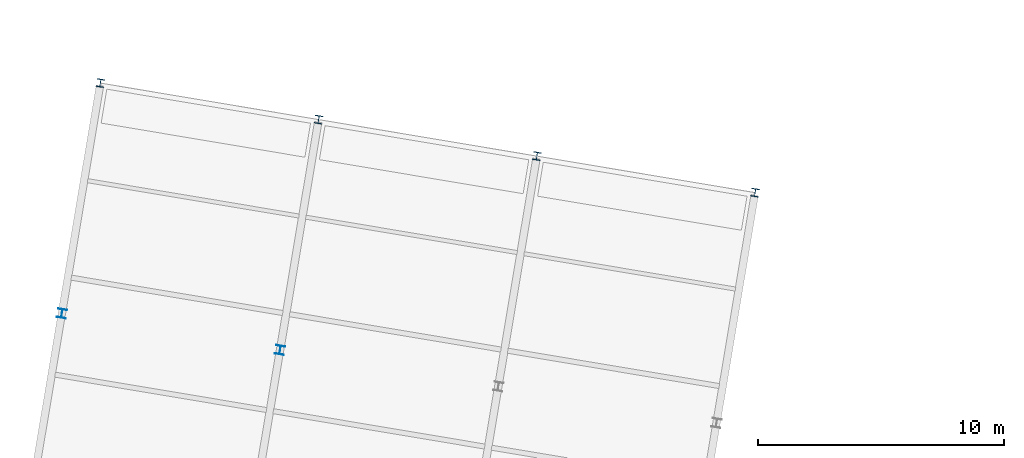
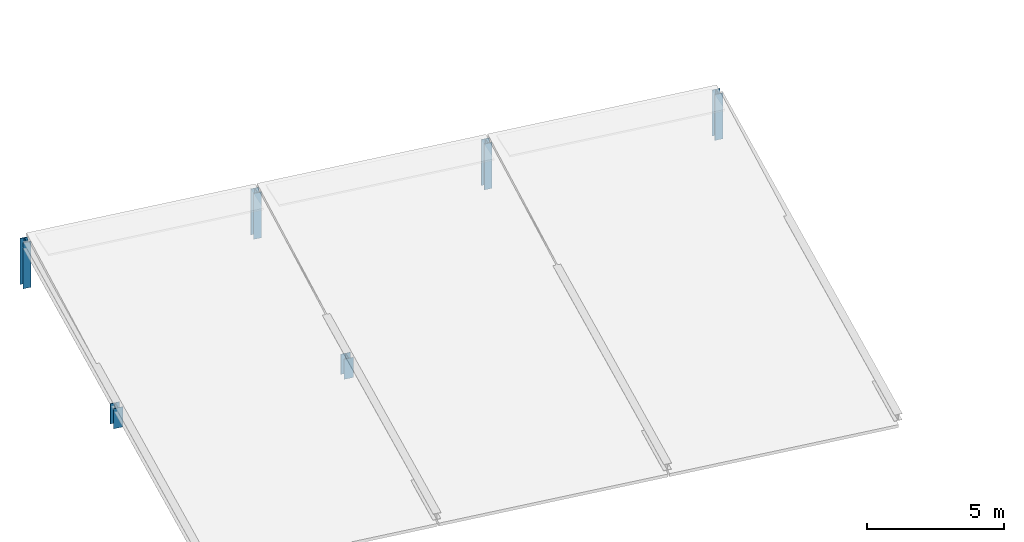
# One storey, part 7 of 27: 6 columns.
"""IFC4 building model written with IfcOpenShell, lengths in metres."""

from ifc_helpers import new_model, si_unit, direction, frame, origin, origin_2d, place, context, subcontext, project, spatial, i_section, extrude, material, material_profile, profile_set, type_object, element, save


model = new_model("IFC4")

# Units and contexts
model_context = context("Model", 3, precision=1e-05, world=origin(), true_north=direction((0.0, 1.0)))
body_context = subcontext(model_context, "Body", "Model", "MODEL_VIEW")
ifc_project = project(units=[si_unit("LENGTHUNIT", "METRE"), si_unit("AREAUNIT", "SQUARE_METRE"), si_unit("VOLUMEUNIT", "CUBIC_METRE"), si_unit("PLANEANGLEUNIT", "RADIAN"), si_unit("MASSUNIT", "GRAM", prefix="KILO")], contexts=[model_context])

# Site, building, storey
site_placement = place(None, origin())
site = spatial("IfcSite", under=ifc_project, at=site_placement, CompositionType="ELEMENT")
building_placement = place(site_placement, origin())
building = spatial("IfcBuilding", under=site, at=building_placement, Name="Vireo Bluff Cable Station", CompositionType="ELEMENT")
storey_placement = place(building_placement, frame((0.0, 0.0, 19.199951171875)))
storey = spatial("IfcBuildingStorey", under=building, at=storey_placement, Name="L04", CompositionType="ELEMENT", Elevation=19.199951171875)

# Columns
ifc_material = material(Name="Steel ASTM A992 Gr. 50", Category="steel")
ifc_material_profile_1 = material_profile(ifc_material, i_section(OverallWidth=0.367919921875, OverallDepth=0.35595703125, WebThickness=0.01123046875, FlangeThickness=0.01806640625, FilletRadius=0.014892578125, at=origin_2d()), Name="W14X90")
ifc_profile_set_1 = profile_set([ifc_material_profile_1], Name="Steel ASTM A992 Gr. 50")
column_type_1 = type_object("IfcColumnType", Name="COL-W14X90", PredefinedType="COLUMN", material=ifc_profile_set_1)
for number, where, z_axis, x_axis, name in (
    (1, (8.635986328125, 90.239501953125, 0.0), (0.0, 0.0, 1.0), (0.986285601537, -0.165047605861, 0.0), "V4 interior roof column 1"),
    (2, (17.512451171875, 88.75390625, 0.0), (0.0, 0.0, 1.0), (0.986285601537, -0.165047605861, 0.0), "V4 interior roof column 2"),
):
    element("IfcColumn", number, at=place(storey_placement, frame(where, z_axis=z_axis, x_axis=x_axis)), inside=storey, type_object=column_type_1, Name=name, PredefinedType="COLUMN", context=body_context, shape_type="SweptSolid", body=[
        extrude(i_section(OverallWidth=0.367919921875, OverallDepth=0.35595703125, WebThickness=0.01123046875, FlangeThickness=0.01806640625, FilletRadius=0.014892578125, at=origin_2d()), origin(), (0.0, 0.0, 1.0), 0.900146484375),
    ])
ifc_material_profile_2 = material_profile(ifc_material, i_section(OverallWidth=0.30908203125, OverallDepth=0.322998046875, WebThickness=0.013916015625, FlangeThickness=0.02294921875, FilletRadius=0.012939453125, at=origin_2d()), Name="W12X96")
ifc_profile_set_2 = profile_set([ifc_material_profile_2], Name="Steel ASTM A992 Gr. 50")
column_type_2 = type_object("IfcColumnType", Name="ECOL-W12X96", PredefinedType="COLUMN", material=ifc_profile_set_2)
for number, where, z_axis, x_axis, name in (
    (3, (10.203857421875, 99.609130859375, 0.0), (0.0, 0.0, 1.0), (0.986285601537, -0.165047605861, 0.0), "V4 north-light roof column 1"),
    (4, (19.080322265625, 98.123779296875, 0.0), (0.0, 0.0, 1.0), (0.986285601537, -0.165047605861, 0.0), "V4 north-light roof column 2"),
    (5, (27.95703125, 96.63818359375, 0.0), (0.0, 0.0, 1.0), (0.986285601537, -0.165047605861, 0.0), "V4 north-light roof column 3"),
    (6, (36.83349609375, 95.15283203125, 0.0), (0.0, 0.0, 1.0), (0.986285601537, -0.165047605861, 0.0), "V4 north-light roof column 4"),
):
    element("IfcColumn", number, at=place(storey_placement, frame(where, z_axis=z_axis, x_axis=x_axis)), inside=storey, type_object=column_type_2, Name=name, PredefinedType="COLUMN", context=body_context, shape_type="SweptSolid", body=[
        extrude(i_section(OverallWidth=0.30908203125, OverallDepth=0.322998046875, WebThickness=0.013916015625, FlangeThickness=0.02294921875, FilletRadius=0.012939453125, at=origin_2d()), origin(), (0.0, 0.0, 1.0), 2.050048828125),
    ])

save(model, "model.ifc")
